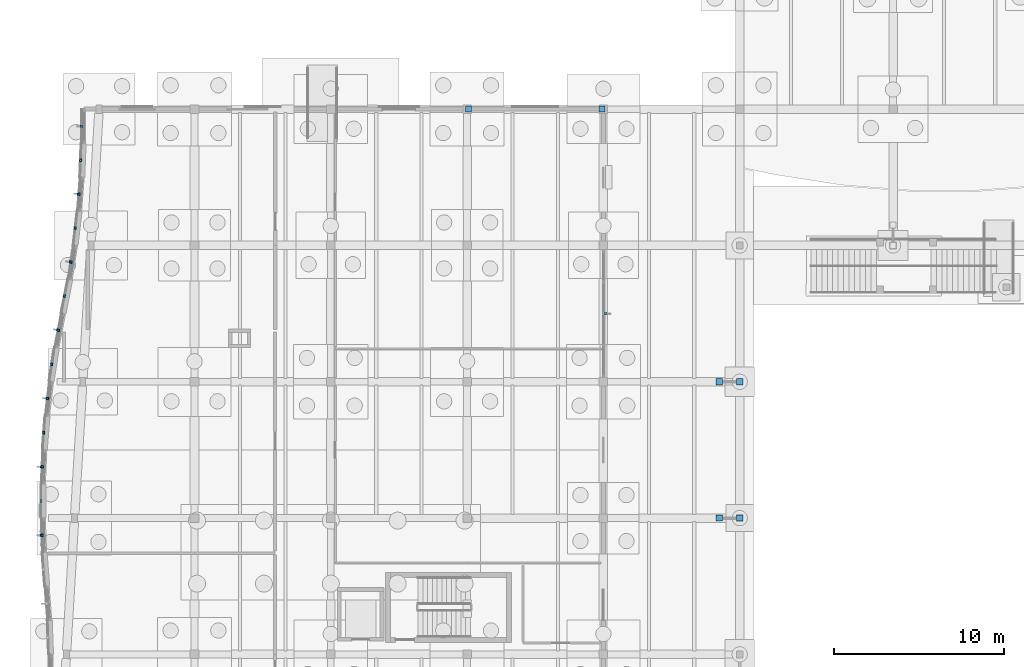
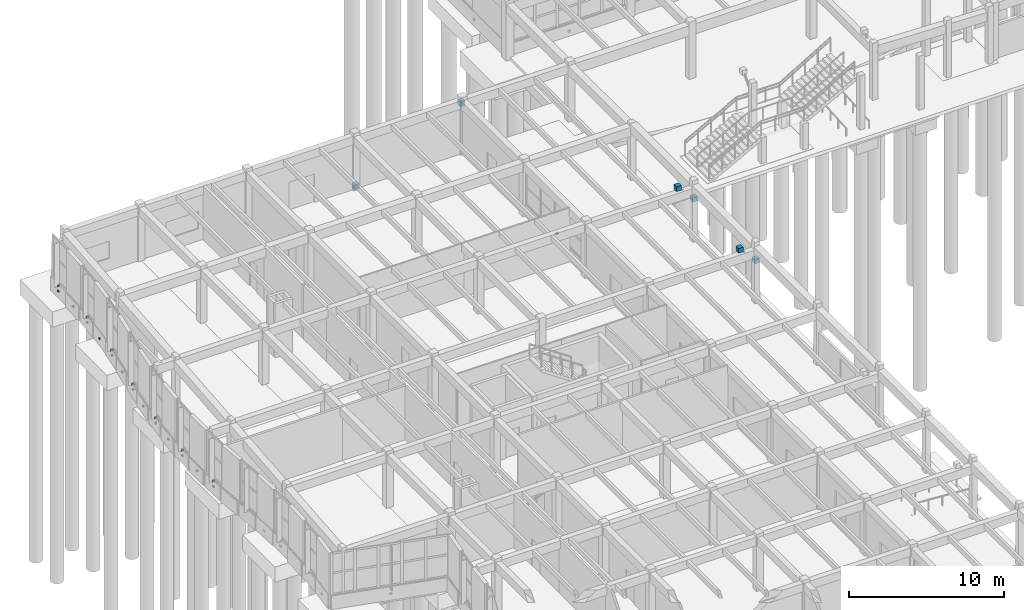
# One storey, part 78 of 99: 27 discrete accessories.
"""IFC4 building model written with IfcOpenShell, lengths in metres."""

import ifcopenshell
import ifcopenshell.guid

model = None  # the IFC model being written
_history = None  # IfcOwnerHistory: only IFC2X3 demands one
_inside = {}  # id of a spatial element -> (the spatial element, [elements in it])
_under = {}  # id of a project, library or spatial element -> (it, [spatial elements below it])
_declared = {}  # id of a project -> (the project, [libraries it declares])
_typed = {}  # id of a type object -> (the type object, [elements of that type])
_made_of = {}  # id of a material, layer set ... -> (it, [elements and type objects made of it])


def new_model(schema):
    """Start an empty IFC model of exactly this schema.

    Asked for "IFC4X3", IfcOpenShell would pick the latest addendum, in which some entities
    have other attributes; the version numbers below select the first issue.
    IFC2X3 requires an IfcOwnerHistory on every rooted entity: one is made here for all.
    """
    global model, _history
    if schema == "IFC4X3":
        model = ifcopenshell.file(schema_version=(4, 3, 0, 0))
    else:
        model = ifcopenshell.file(schema=schema)
    _inside.clear()
    _under.clear()
    _declared.clear()
    _typed.clear()
    _made_of.clear()
    _history = None
    if model.schema == "IFC2X3":
        org = make("IfcOrganization", Name="unknown")
        user = make(
            "IfcPersonAndOrganization",
            ThePerson=make("IfcPerson", FamilyName="unknown"),
            TheOrganization=org,
        )
        app = make(
            "IfcApplication",
            ApplicationDeveloper=org,
            Version="unknown",
            ApplicationFullName="unknown",
            ApplicationIdentifier="unknown",
        )
        _history = make(
            "IfcOwnerHistory",
            OwningUser=user,
            OwningApplication=app,
            ChangeAction="ADDED",
            CreationDate=0,
        )
    return model


def make(cls, **values):
    """One entity of the class cls with the attributes given. An attribute that is None is left unset."""
    return model.create_entity(
        cls, **{name: value for name, value in values.items() if value is not None}
    )


def rooted(cls, **values):
    """An entity with a GlobalId (a new one), such as an element, a storey or a relation."""
    return make(cls, GlobalId=ifcopenshell.guid.new(), OwnerHistory=_history, **values)


def si_unit(unit_type, name, prefix=None):
    """IfcSIUnit, for example si_unit("LENGTHUNIT", "METRE", prefix="MILLI")."""
    return make("IfcSIUnit", UnitType=unit_type, Prefix=prefix, Name=name)


def assignment(units):
    """IfcUnitAssignment: the units of a project."""
    return None if units is None else make("IfcUnitAssignment", Units=units)


def point(xyz):
    """IfcCartesianPoint."""
    return None if xyz is None else make("IfcCartesianPoint", Coordinates=xyz)


def direction(xyz):
    """IfcDirection."""
    return None if xyz is None else make("IfcDirection", DirectionRatios=xyz)


def frame(location, z_axis=None, x_axis=None):
    """IfcAxis2Placement3D, a coordinate frame: its origin and axes. An axis left out is left unset."""
    return make(
        "IfcAxis2Placement3D",
        Location=point(location),
        Axis=direction(z_axis),
        RefDirection=direction(x_axis),
    )


def frame_2d(location, x_axis=None):
    """IfcAxis2Placement2D, a coordinate frame in the plane: its origin and x axis."""
    return make(
        "IfcAxis2Placement2D", Location=point(location), RefDirection=direction(x_axis)
    )


def origin():
    """The frame at (0, 0, 0) with its axes left unset."""
    return frame((0.0, 0.0, 0.0))


def origin_2d():
    """The frame at (0, 0) in the plane with its x axis left unset."""
    return frame_2d((0.0, 0.0))


def place(relative_to, where):
    """IfcLocalPlacement: puts the frame where relative to a parent placement (None: the world)."""
    return make(
        "IfcLocalPlacement", PlacementRelTo=relative_to, RelativePlacement=where
    )


def context(
    kind, dimensions, precision=None, world=None, true_north=None, identifier=None
):
    """IfcGeometricRepresentationContext, for example the 3D "Model" context."""
    return make(
        "IfcGeometricRepresentationContext",
        ContextIdentifier=identifier,
        ContextType=kind,
        CoordinateSpaceDimension=dimensions,
        Precision=precision,
        WorldCoordinateSystem=world,
        TrueNorth=true_north,
    )


def subcontext(parent, identifier, kind, view, scale=None):
    """IfcGeometricRepresentationSubContext, for example "Body" below "Model"."""
    return make(
        "IfcGeometricRepresentationSubContext",
        ContextIdentifier=identifier,
        ContextType=kind,
        ParentContext=parent,
        TargetScale=scale,
        TargetView=view,
    )


def project(units=None, contexts=None):
    """IfcProject with its units and contexts."""
    return rooted(
        "IfcProject",
        Name="project",
        RepresentationContexts=contexts,
        UnitsInContext=assignment(units),
    )


def spatial(cls, under=None, at=None, **own):
    """A site, building, storey or space (cls), placed at a placement, below another one or the project."""
    s = rooted(cls, ObjectPlacement=at, **own)
    if under is not None:
        _under.setdefault(under.id(), (under, []))[1].append(s)
    return s


def profile(cls, at=None, kind="AREA", **sizes):
    """A parametric profile (cls). Its sizes go by their IFC names, for example OverallWidth=200.0."""
    return make(cls, ProfileType=kind, Position=at, **sizes)


def rectangle(**sizes):
    """IfcRectangleProfileDef."""
    return profile("IfcRectangleProfileDef", **sizes)


def extrude(swept, where, along, depth):
    """IfcExtrudedAreaSolid: the profile swept, set in the frame where, extruded along a direction by depth."""
    return make(
        "IfcExtrudedAreaSolid",
        SweptArea=swept,
        Position=where,
        ExtrudedDirection=direction(along),
        Depth=depth,
    )


def shape(context_of_items, identifier, shape_type, items):
    """IfcShapeRepresentation: the items that make up one representation, for example the "Body"."""
    return make(
        "IfcShapeRepresentation",
        ContextOfItems=context_of_items,
        RepresentationIdentifier=identifier,
        RepresentationType=shape_type,
        Items=items,
    )


def material(Name=None, Category=None):
    """IfcMaterial."""
    return make("IfcMaterial", Name=Name, Category=Category)


def made_of(thing, what):
    """Note that an element or type object is made of a material, layer set ...; save() writes the relation."""
    if what is not None:
        _made_of.setdefault(what.id(), (what, []))[1].append(thing)
    return thing


def type_object(cls, material=None, **own):
    """A type object (cls), such as IfcWallType, which elements share."""
    return made_of(rooted(cls, **own), material)


def element(
    cls,
    number,
    at=None,
    inside=None,
    cuts=None,
    type_object=None,
    material=None,
    context=None,
    identifier="Body",
    shape_type=None,
    held_by="IfcProductDefinitionShape",
    body=None,
    shapes=None,
    **own,
):
    """One element of the class cls, such as IfcWall. Its Tag is "e" and its number.

    at: its placement. inside: the storey or other place that contains it. cuts: it is an
    opening in that element (IfcRelVoidsElement). A single representation is given by context,
    identifier, shape_type and body (its items); several are given by shapes. held_by: the class
    of the entity that holds the representations. save() writes the other relations.
    """
    e = rooted(cls, Tag="e%d" % number, ObjectPlacement=at, **own)
    if body is not None:
        shapes = [shape(context, identifier, shape_type, body)]
    if shapes is not None:
        e.Representation = make(held_by, Representations=shapes)
    if inside is not None:
        _inside.setdefault(inside.id(), (inside, []))[1].append(e)
    if cuts is not None:
        rooted(
            "IfcRelVoidsElement", RelatingBuildingElement=cuts, RelatedOpeningElement=e
        )
    if type_object is not None:
        _typed.setdefault(type_object.id(), (type_object, []))[1].append(e)
    return made_of(e, material)


def aggregate(whole, parts):
    """IfcRelAggregates: a whole, such as a stair, and the parts it consists of."""
    return rooted("IfcRelAggregates", RelatingObject=whole, RelatedObjects=parts)


def save(model, path):
    """Write the relations noted so far, then the file.

    IfcRelAggregates (storeys below a building ...), IfcRelContainedInSpatialStructure (elements
    in a storey), IfcRelDefinesByType, IfcRelAssociatesMaterial and IfcRelDeclares: one each for
    every whole, place, type object, material and project.
    """
    for whole, parts in _under.values():
        aggregate(whole, parts)
    for where, things in _inside.values():
        rooted(
            "IfcRelContainedInSpatialStructure",
            RelatedElements=things,
            RelatingStructure=where,
        )
    for kind, things in _typed.values():
        rooted("IfcRelDefinesByType", RelatedObjects=things, RelatingType=kind)
    for what, things in _made_of.values():
        rooted("IfcRelAssociatesMaterial", RelatedObjects=things, RelatingMaterial=what)
    for by, libraries in _declared.values():
        rooted("IfcRelDeclares", RelatingContext=by, RelatedDefinitions=libraries)
    model.write(path)


model = new_model("IFC4")

# Units and contexts
model_context = context("Model", 3, precision=1e-05, world=origin(), true_north=direction((0.0, 1.0)))
body_context = subcontext(model_context, "Body", "Model", "MODEL_VIEW")
ifc_project = project(units=[si_unit("LENGTHUNIT", "METRE"), si_unit("AREAUNIT", "SQUARE_METRE"), si_unit("VOLUMEUNIT", "CUBIC_METRE"), si_unit("PLANEANGLEUNIT", "RADIAN"), si_unit("MASSUNIT", "GRAM", prefix="KILO")], contexts=[model_context])

# Site, building, storey
site_placement = place(None, origin())
site = spatial("IfcSite", under=ifc_project, at=site_placement, CompositionType="ELEMENT")
building_placement = place(site_placement, origin())
building = spatial("IfcBuilding", under=site, at=building_placement, Name="Tonlespit Floodbar School", CompositionType="ELEMENT")
storey_placement = place(building_placement, origin())
storey = spatial("IfcBuildingStorey", under=building, at=storey_placement, Name="L00", CompositionType="ELEMENT", Elevation=0.0)

# Discrete accessories
ifc_material_1 = material(Name="Galvanised Steel", Category="steel")
discrete_accessory_type_1 = type_object("IfcDiscreteAccessoryType", Name="Bracket_Facade_S355", PredefinedType="BRACKET", material=ifc_material_1)
discrete_accessory_1_placement = place(storey_placement, frame((3.0517578125, 70.9951171875, 0.35498046875), z_axis=(0.0, 0.0, 1.0), x_axis=(-0.036575686496, 0.999330885722, 0.0)))
element("IfcDiscreteAccessory", 1, at=discrete_accessory_1_placement, inside=storey, type_object=discrete_accessory_type_1, Name="L00 white band support bracket 0501", PredefinedType="BRACKET", context=body_context, shape_type="SweptSolid", body=[
    extrude(rectangle(XDim=0.159912109375, YDim=0.1201171875, at=origin_2d()), origin(), (0.0, 0.0, 1.0), 0.1201171875),
])
discrete_accessory_2_placement = place(storey_placement, frame((3.041748046875, 70.994873046875, 0.7802734375), z_axis=(0.0, 0.0, 1.0), x_axis=(-0.036575686496, 0.999330885722, 0.0)))
element("IfcDiscreteAccessory", 2, at=discrete_accessory_2_placement, inside=storey, type_object=discrete_accessory_type_1, Name="Solar fin support bracket 121", PredefinedType="BRACKET", context=body_context, shape_type="SweptSolid", body=[
    extrude(rectangle(XDim=0.1201171875, YDim=0.179931640625, at=origin_2d()), origin(), (0.0, 0.0, 1.0), 0.139892578125),
])
for number, where, z_axis, x_axis, name in (
    (3, (2.9873046875, 73.00048828125, 0.3798828125), (0.0, 0.0, 1.0), (0.00220085841, 0.999997578108, 0.0), "L00 white band support bracket 0502"),
    (4, (3.060302734375, 75.00537109375, 0.35498046875), (0.0, 0.0, 1.0), (0.040715999914, 0.999170759856, 0.0), "L00 white band support bracket 0503"),
):
    element("IfcDiscreteAccessory", number, at=place(storey_placement, frame(where, z_axis=z_axis, x_axis=x_axis)), inside=storey, type_object=discrete_accessory_type_1, Name=name, PredefinedType="BRACKET", context=body_context, shape_type="SweptSolid", body=[
        extrude(rectangle(XDim=0.159912109375, YDim=0.1201171875, at=origin_2d()), origin(), (0.0, 0.0, 1.0), 0.1201171875),
    ])
discrete_accessory_3_placement = place(storey_placement, frame((3.05029296875, 75.005615234375, 0.7802734375), z_axis=(0.0, 0.0, 1.0), x_axis=(0.040715999914, 0.999170759856, 0.0)))
element("IfcDiscreteAccessory", 5, at=discrete_accessory_3_placement, inside=storey, type_object=discrete_accessory_type_1, Name="Solar fin support bracket 122", PredefinedType="BRACKET", context=body_context, shape_type="SweptSolid", body=[
    extrude(rectangle(XDim=0.1201171875, YDim=0.179931640625, at=origin_2d()), origin(), (0.0, 0.0, 1.0), 0.139892578125),
])
for number, where, z_axis, x_axis, name in (
    (6, (3.150634765625, 77.0126953125, 0.3798828125), (0.0, 0.0, 1.0), (0.079001948152, 0.996874461599, 0.0), "L00 white band support bracket 0504"),
    (7, (3.378173828125, 79.01513671875, 0.35498046875), (0.0, 0.0, 1.0), (0.116991411823, 0.99313292643, 0.0), "L00 white band support bracket 0505"),
):
    element("IfcDiscreteAccessory", number, at=place(storey_placement, frame(where, z_axis=z_axis, x_axis=x_axis)), inside=storey, type_object=discrete_accessory_type_1, Name=name, PredefinedType="BRACKET", context=body_context, shape_type="SweptSolid", body=[
        extrude(rectangle(XDim=0.159912109375, YDim=0.1201171875, at=origin_2d()), origin(), (0.0, 0.0, 1.0), 0.1201171875),
    ])
discrete_accessory_4_placement = place(storey_placement, frame((3.3681640625, 79.016357421875, 0.7802734375), z_axis=(0.0, 0.0, 1.0), x_axis=(0.116991411823, 0.99313292643, 0.0)))
element("IfcDiscreteAccessory", 8, at=discrete_accessory_4_placement, inside=storey, type_object=discrete_accessory_type_1, Name="Solar fin support bracket 123", PredefinedType="BRACKET", context=body_context, shape_type="SweptSolid", body=[
    extrude(rectangle(XDim=0.1201171875, YDim=0.179931640625, at=origin_2d()), origin(), (0.0, 0.0, 1.0), 0.139892578125),
])
for number, where, z_axis, x_axis, name in (
    (9, (3.62353515625, 81.02490234375, 0.3798828125), (0.0, 0.0, 1.0), (0.154713834929, 0.987959325722, 0.0), "L00 white band support bracket 0506"),
    (10, (4.006591796875, 83.02490234375, 0.35498046875), (0.0, 0.0, 1.0), (0.192246217643, 0.98134672354, 0.0), "L00 white band support bracket 0507"),
):
    element("IfcDiscreteAccessory", number, at=place(storey_placement, frame(where, z_axis=z_axis, x_axis=x_axis)), inside=storey, type_object=discrete_accessory_type_1, Name=name, PredefinedType="BRACKET", context=body_context, shape_type="SweptSolid", body=[
        extrude(rectangle(XDim=0.159912109375, YDim=0.1201171875, at=origin_2d()), origin(), (0.0, 0.0, 1.0), 0.1201171875),
    ])
discrete_accessory_5_placement = place(storey_placement, frame((3.99658203125, 83.02685546875, 0.7802734375), z_axis=(0.0, 0.0, 1.0), x_axis=(0.192246217643, 0.98134672354, 0.0)))
element("IfcDiscreteAccessory", 11, at=discrete_accessory_5_placement, inside=storey, type_object=discrete_accessory_type_1, Name="Solar fin support bracket 124", PredefinedType="BRACKET", context=body_context, shape_type="SweptSolid", body=[
    extrude(rectangle(XDim=0.1201171875, YDim=0.179931640625, at=origin_2d()), origin(), (0.0, 0.0, 1.0), 0.139892578125),
])
for number, where, z_axis, x_axis, name in (
    (12, (4.368896484375, 85.03076171875, 0.3798828125), (0.0, 0.0, 1.0), (0.192246217643, 0.98134672354, 0.0), "L00 white band support bracket 0508"),
    (13, (4.75, 87.02001953125, 0.35498046875), (0.0, 0.0, 1.0), (0.154713834929, 0.987959325722, 0.0), "L00 white band support bracket 0509"),
):
    element("IfcDiscreteAccessory", number, at=place(storey_placement, frame(where, z_axis=z_axis, x_axis=x_axis)), inside=storey, type_object=discrete_accessory_type_1, Name=name, PredefinedType="BRACKET", context=body_context, shape_type="SweptSolid", body=[
        extrude(rectangle(XDim=0.159912109375, YDim=0.1201171875, at=origin_2d()), origin(), (0.0, 0.0, 1.0), 0.1201171875),
    ])
discrete_accessory_6_placement = place(storey_placement, frame((4.739990234375, 87.021728515625, 0.7802734375), z_axis=(0.0, 0.0, 1.0), x_axis=(0.154713834929, 0.987959325722, 0.0)))
element("IfcDiscreteAccessory", 14, at=discrete_accessory_6_placement, inside=storey, type_object=discrete_accessory_type_1, Name="Solar fin support bracket 125", PredefinedType="BRACKET", context=body_context, shape_type="SweptSolid", body=[
    extrude(rectangle(XDim=0.1201171875, YDim=0.179931640625, at=origin_2d()), origin(), (0.0, 0.0, 1.0), 0.139892578125),
])
for number, where, z_axis, x_axis, name in (
    (15, (4.993896484375, 89.018798828125, 0.3798828125), (0.0, 0.0, 1.0), (0.116991411823, 0.99313292643, 0.0), "L00 white band support bracket 0510"),
    (16, (5.22021484375, 91.01025390625, 0.35498046875), (0.0, 0.0, 1.0), (0.079001948152, 0.996874461599, 0.0), "L00 white band support bracket 0511"),
):
    element("IfcDiscreteAccessory", number, at=place(storey_placement, frame(where, z_axis=z_axis, x_axis=x_axis)), inside=storey, type_object=discrete_accessory_type_1, Name=name, PredefinedType="BRACKET", context=body_context, shape_type="SweptSolid", body=[
        extrude(rectangle(XDim=0.159912109375, YDim=0.1201171875, at=origin_2d()), origin(), (0.0, 0.0, 1.0), 0.1201171875),
    ])
discrete_accessory_7_placement = place(storey_placement, frame((5.210205078125, 91.010986328125, 0.7802734375), z_axis=(0.0, 0.0, 1.0), x_axis=(0.079001948152, 0.996874461599, 0.0)))
element("IfcDiscreteAccessory", 17, at=discrete_accessory_7_placement, inside=storey, type_object=discrete_accessory_type_1, Name="Solar fin support bracket 126", PredefinedType="BRACKET", context=body_context, shape_type="SweptSolid", body=[
    extrude(rectangle(XDim=0.1201171875, YDim=0.179931640625, at=origin_2d()), origin(), (0.0, 0.0, 1.0), 0.139892578125),
])
for number, where, z_axis, x_axis, name in (
    (18, (5.31005859375, 93.006591796875, 0.3798828125), (0.0, 0.0, 1.0), (0.040715999914, 0.999170759856, 0.0), "L00 white band support bracket 0512"),
    (19, (5.3828125, 95.000244140625, 0.35498046875), (0.0, 0.0, 1.0), (0.00220085841, 0.999997578108, 0.0), "L00 white band support bracket 0513"),
):
    element("IfcDiscreteAccessory", number, at=place(storey_placement, frame(where, z_axis=z_axis, x_axis=x_axis)), inside=storey, type_object=discrete_accessory_type_1, Name=name, PredefinedType="BRACKET", context=body_context, shape_type="SweptSolid", body=[
        extrude(rectangle(XDim=0.159912109375, YDim=0.1201171875, at=origin_2d()), origin(), (0.0, 0.0, 1.0), 0.1201171875),
    ])
for number, where, z_axis, x_axis, name in (
    (20, (5.372802734375, 95.000244140625, 0.7802734375), (0.0, 0.0, 1.0), (0.00220085841, 0.999997578108, 0.0), "Solar fin support bracket 127"),
    (21, (36.132568359375, 84.0, 0.7802734375), (0.0, 0.0, 1.0), (0.0, -1.0, 0.0), "Solar fin support bracket 129"),
):
    element("IfcDiscreteAccessory", number, at=place(storey_placement, frame(where, z_axis=z_axis, x_axis=x_axis)), inside=storey, type_object=discrete_accessory_type_1, Name=name, PredefinedType="BRACKET", context=body_context, shape_type="SweptSolid", body=[
        extrude(rectangle(XDim=0.1201171875, YDim=0.179931640625, at=origin_2d()), origin(), (0.0, 0.0, 1.0), 0.139892578125),
    ])
ifc_material_2 = material(Name="Steel S355", Category="steel")
discrete_accessory_type_2 = type_object("IfcDiscreteAccessoryType", Name="GussetShoe_Brace_S355", PredefinedType="SHOE", material=ifc_material_2)
for number, where, z_axis, x_axis, name in (
    (22, (28.080078125, 96.0, -0.0302734375), (0.0, 0.0, 1.0), (1.0, 0.0, 0.0), "L00 brace and chord end gusset shoe 0027"),
    (23, (35.919921875, 96.0, 3.77001953125), (0.0, 0.0, 1.0), (1.0, 0.0, 0.0), "L00 brace and chord end gusset shoe 0028"),
    (24, (44.0, 72.0, 3.1201171875), (0.0, 0.0, 1.0), (1.0, 0.0, 0.0), "L00 brace and chord end gusset shoe 0057"),
    (25, (42.800048828125, 72.0, 4.39990234375), (0.0, 0.0, 1.0), (1.0, 0.0, 0.0), "L00 brace and chord end gusset shoe 0058"),
    (26, (44.0, 80.0, 3.1201171875), (0.0, 0.0, 1.0), (1.0, 0.0, 0.0), "L00 brace and chord end gusset shoe 0059"),
    (27, (42.800048828125, 80.0, 4.39990234375), (0.0, 0.0, 1.0), (1.0, 0.0, 0.0), "L00 brace and chord end gusset shoe 0060"),
):
    element("IfcDiscreteAccessory", number, at=place(storey_placement, frame(where, z_axis=z_axis, x_axis=x_axis)), inside=storey, type_object=discrete_accessory_type_2, Name=name, PredefinedType="SHOE", context=body_context, shape_type="SweptSolid", body=[
        extrude(rectangle(XDim=0.360107421875, YDim=0.360107421875, at=origin_2d()), origin(), (0.0, 0.0, 1.0), 0.360107421875),
    ])

save(model, "model.ifc")
